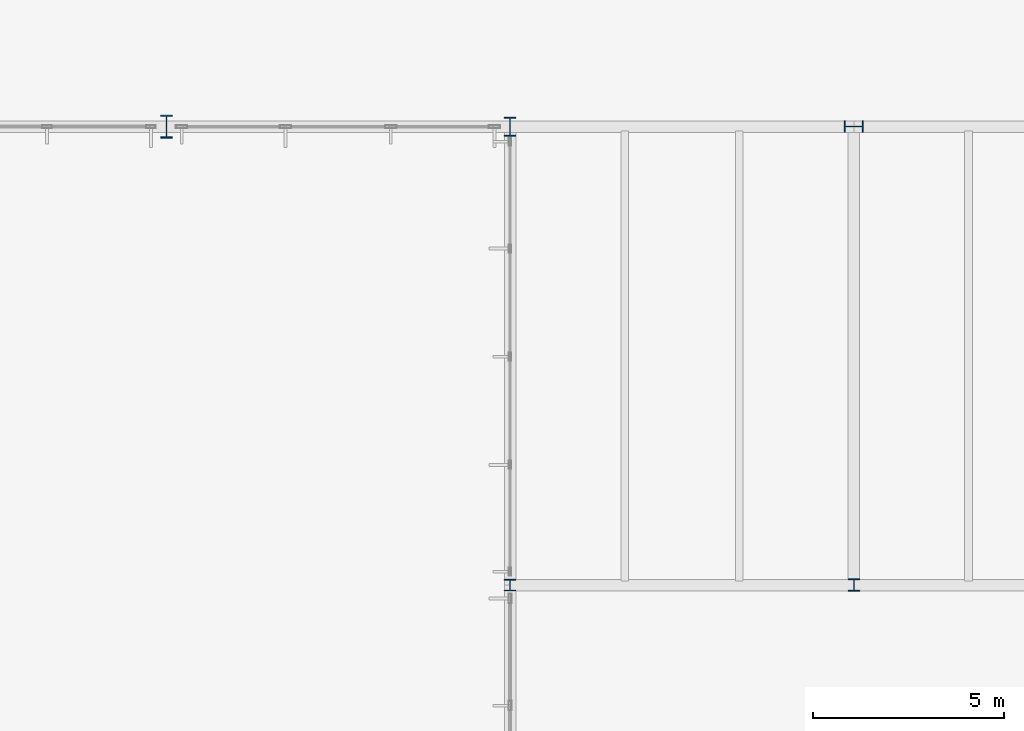
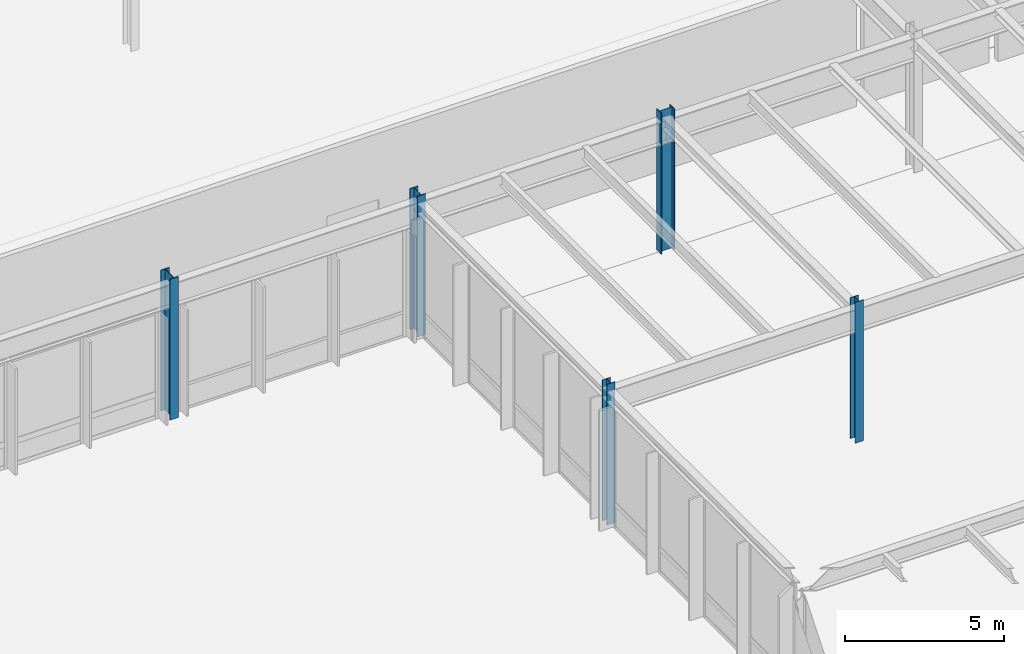
# One storey, part 9 of 143: 5 columns.
"""IFC4 building model written with IfcOpenShell, lengths in metres."""

from ifc_helpers import new_model, si_unit, direction, frame, origin, origin_2d, place, context, subcontext, project, spatial, i_section, extrude, material, material_profile, profile_set, type_object, element, save


model = new_model("IFC4")

# Units and contexts
model_context = context("Model", 3, precision=1e-05, world=origin(), true_north=direction((0.0, 1.0)))
body_context = subcontext(model_context, "Body", "Model", "MODEL_VIEW")
ifc_project = project(units=[si_unit("LENGTHUNIT", "METRE"), si_unit("AREAUNIT", "SQUARE_METRE"), si_unit("VOLUMEUNIT", "CUBIC_METRE"), si_unit("PLANEANGLEUNIT", "RADIAN"), si_unit("MASSUNIT", "GRAM", prefix="KILO")], contexts=[model_context])

# Site, building, storey
site_placement = place(None, origin())
site = spatial("IfcSite", under=ifc_project, at=site_placement, CompositionType="ELEMENT")
building_placement = place(site_placement, origin())
building = spatial("IfcBuilding", under=site, at=building_placement, Name="Montelvaro Courts of Justice", CompositionType="ELEMENT")
storey_placement = place(building_placement, origin())
storey = spatial("IfcBuildingStorey", under=building, at=storey_placement, Name="L00", CompositionType="ELEMENT", Elevation=0.0)

# Columns
ifc_material = material(Name="Steel S355", Category="steel")
ifc_material_profile_1 = material_profile(ifc_material, i_section(OverallWidth=0.300048828125, OverallDepth=0.300048828125, WebThickness=0.010986328125, FlangeThickness=0.01904296875, at=origin_2d()), Name="HEB 300")
ifc_profile_set_1 = profile_set([ifc_material_profile_1], Name="Steel S355")
column_type_1 = type_object("IfcColumnType", Name="Col_HEB300", PredefinedType="COLUMN", material=ifc_profile_set_1)
column_1_placement = place(storey_placement, frame((54.0, 66.0, 0.0), z_axis=(0.0, 0.0, 1.0), x_axis=(1.0, 0.0, 0.0)))
element("IfcColumn", 1, at=column_1_placement, inside=storey, type_object=column_type_1, Name="Column C-03 L00 7/F", PredefinedType="COLUMN", context=body_context, shape_type="SweptSolid", body=[
    extrude(i_section(OverallWidth=0.300048828125, OverallDepth=0.300048828125, WebThickness=0.010986328125, FlangeThickness=0.01904296875, at=origin_2d()), origin(), (0.0, 0.0, 1.0), 5.39990234375),
])
ifc_material_profile_2 = material_profile(ifc_material, i_section(OverallWidth=0.300048828125, OverallDepth=0.320068359375, WebThickness=0.011474609375, FlangeThickness=0.0205078125, at=origin_2d()), Name="HEB 320")
ifc_profile_set_2 = profile_set([ifc_material_profile_2], Name="Steel S355")
column_type_2 = type_object("IfcColumnType", Name="Col_HEB320", PredefinedType="COLUMN", material=ifc_profile_set_2)
column_2_placement = place(storey_placement, frame((63.0, 66.0, 0.0), z_axis=(0.0, 0.0, 1.0), x_axis=(1.0, 0.0, 0.0)))
element("IfcColumn", 2, at=column_2_placement, inside=storey, type_object=column_type_2, Name="Column C-04 L00 8/F", PredefinedType="COLUMN", context=body_context, shape_type="SweptSolid", body=[
    extrude(i_section(OverallWidth=0.300048828125, OverallDepth=0.320068359375, WebThickness=0.011474609375, FlangeThickness=0.0205078125, at=origin_2d()), origin(), (0.0, 0.0, 1.0), 5.39990234375),
])
ifc_material_profile_3 = material_profile(ifc_material, i_section(OverallWidth=0.300048828125, OverallDepth=0.5, WebThickness=0.014404296875, FlangeThickness=0.028076171875, at=origin_2d()), Name="HEB 500")
ifc_profile_set_3 = profile_set([ifc_material_profile_3], Name="Steel S355")
column_type_3 = type_object("IfcColumnType", Name="Col_HEB500", PredefinedType="COLUMN", material=ifc_profile_set_3)
for number, where, z_axis, x_axis, name in (
    (3, (54.0, 78.0, 0.0), (0.0, 0.0, 1.0), (1.0, 0.0, 0.0), "Column C-09 L00 7/G"),
    (4, (63.0, 78.0, 0.0), (0.0, 0.0, 1.0), (0.0, 1.0, 0.0), "Column C-09 L00 8/G"),
):
    element("IfcColumn", number, at=place(storey_placement, frame(where, z_axis=z_axis, x_axis=x_axis)), inside=storey, type_object=column_type_3, Name=name, PredefinedType="COLUMN", context=body_context, shape_type="SweptSolid", body=[
        extrude(i_section(OverallWidth=0.300048828125, OverallDepth=0.5, WebThickness=0.014404296875, FlangeThickness=0.028076171875, at=origin_2d()), origin(), (0.0, 0.0, 1.0), 5.39990234375),
    ])
ifc_material_profile_4 = material_profile(ifc_material, i_section(OverallWidth=0.300048828125, OverallDepth=0.60009765625, WebThickness=0.015380859375, FlangeThickness=0.030029296875, at=origin_2d()), Name="HEB 600")
ifc_profile_set_4 = profile_set([ifc_material_profile_4], Name="Steel S355")
column_type_4 = type_object("IfcColumnType", Name="Col_HEB600", PredefinedType="COLUMN", material=ifc_profile_set_4)
column_3_placement = place(storey_placement, frame((45.0, 78.0, 0.0), z_axis=(0.0, 0.0, 1.0), x_axis=(1.0, 0.0, 0.0)))
element("IfcColumn", 5, at=column_3_placement, inside=storey, type_object=column_type_4, Name="Column C-11 L00 6/G", PredefinedType="COLUMN", context=body_context, shape_type="SweptSolid", body=[
    extrude(i_section(OverallWidth=0.300048828125, OverallDepth=0.60009765625, WebThickness=0.015380859375, FlangeThickness=0.030029296875, at=origin_2d()), origin(), (0.0, 0.0, 1.0), 5.39990234375),
])

save(model, "model.ifc")
